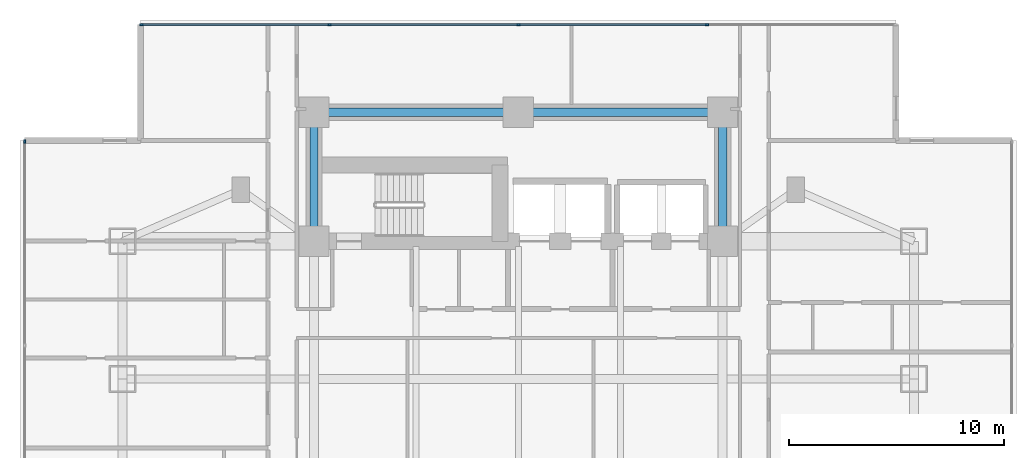
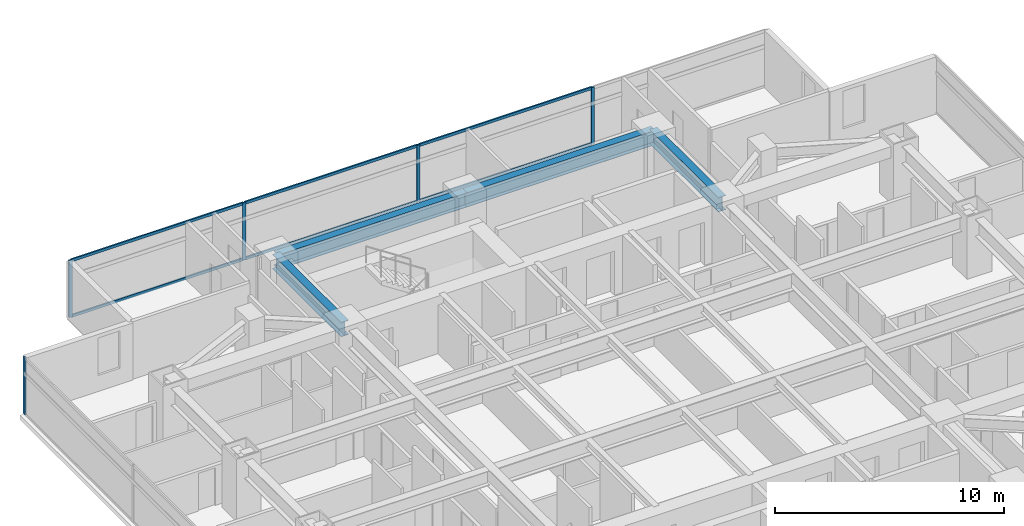
# One storey, part 7 of 26: 11 members, 4 beams, 2 elements without a shape of their own.
"""IFC4 building model written with IfcOpenShell, lengths in metres."""

from ifc_helpers import new_model, si_unit, direction, frame, origin, origin_2d, place, context, subcontext, project, spatial, rectangle, i_section, extrude, material, material_profile, profile_set, type_object, element, aggregate, save


model = new_model("IFC4")

# Units and contexts
model_context = context("Model", 3, precision=1e-05, world=origin(), true_north=direction((0.0, 1.0)))
body_context = subcontext(model_context, "Body", "Model", "MODEL_VIEW")
ifc_project = project(units=[si_unit("LENGTHUNIT", "METRE"), si_unit("AREAUNIT", "SQUARE_METRE"), si_unit("VOLUMEUNIT", "CUBIC_METRE"), si_unit("PLANEANGLEUNIT", "RADIAN"), si_unit("MASSUNIT", "GRAM", prefix="KILO")], contexts=[model_context])

# Site, building, storey
site_placement = place(None, origin())
site = spatial("IfcSite", under=ifc_project, at=site_placement, CompositionType="ELEMENT")
building_placement = place(site_placement, origin())
building = spatial("IfcBuilding", under=site, at=building_placement, Name="Mirazonda Arch Towers", CompositionType="ELEMENT")
storey_placement = place(building_placement, frame((0.0, 0.0, 45.5)))
storey = spatial("IfcBuildingStorey", under=building, at=storey_placement, Name="L12", CompositionType="ELEMENT", Elevation=45.5)

# Beams
ifc_material_1 = material(Name="Steel ASTM A992 Grade 50", Category="steel")
ifc_material_profile_1 = material_profile(ifc_material_1, i_section(OverallWidth=0.381103515625, OverallDepth=0.77294921875, WebThickness=0.0166015625, FlangeThickness=0.027099609375, at=origin_2d()), Name="W30X173")
ifc_profile_set_1 = profile_set([ifc_material_profile_1], Name="Steel ASTM A992 Grade 50")
beam_type = type_object("IfcBeamType", Name="BM-INT-W30X173", PredefinedType="USERDEFINED", material=ifc_profile_set_1)
for number, where, z_axis, x_axis, name in (
    (1, (11.0, 43.60009765625, 2.673583984375), (1.0, 0.0, 0.0), (0.0, 1.0, 0.0), "L12 Floor Beam BM-T1-L12-CN1"),
    (2, (20.5, 43.60009765625, 2.673583984375), (1.0, 0.0, 0.0), (0.0, 1.0, 0.0), "L12 Floor Beam BM-T1-L12-CN2"),
):
    element("IfcBeam", number, at=place(storey_placement, frame(where, z_axis=z_axis, x_axis=x_axis)), inside=storey, type_object=beam_type, Name=name, ObjectType="GIRDER", PredefinedType="USERDEFINED", context=body_context, shape_type="SweptSolid", body=[
        extrude(i_section(OverallWidth=0.381103515625, OverallDepth=0.77294921875, WebThickness=0.0166015625, FlangeThickness=0.027099609375, at=origin_2d()), origin(), (0.0, 0.0, 1.0), 9.5),
    ])
for number, where, z_axis, x_axis, name in (
    (3, (11.0, 37.60009765625, 2.673583984375), (0.0, 1.0, 0.0), (-1.0, 0.0, 0.0), "L12 Floor Beam BM-T1-L12-CNW"),
    (4, (30.0, 37.60009765625, 2.673583984375), (0.0, 1.0, 0.0), (-1.0, 0.0, 0.0), "L12 Floor Beam BM-T1-L12-CNE"),
):
    element("IfcBeam", number, at=place(storey_placement, frame(where, z_axis=z_axis, x_axis=x_axis)), inside=storey, type_object=beam_type, Name=name, ObjectType="GIRDER", PredefinedType="USERDEFINED", context=body_context, shape_type="SweptSolid", body=[
        extrude(i_section(OverallWidth=0.381103515625, OverallDepth=0.77294921875, WebThickness=0.0166015625, FlangeThickness=0.027099609375, at=origin_2d()), origin(), (0.0, 0.0, 1.0), 6.0),
    ])

# Curtain wall, members
ifc_material_2 = material(Name="Anodised Aluminium and Low-E Glass", Category="aluminium")
curtain_wall_type = type_object("IfcCurtainWallType", Name="CW-HTL-UNIT", PredefinedType="NOTDEFINED", material=ifc_material_2)
curtain_wall_1_placement = place(storey_placement, origin())
curtain_wall_1 = element("IfcCurtainWall", 5, at=curtain_wall_1_placement, inside=storey, type_object=curtain_wall_type, Name="L12 T1 N Facade CW-L12-T1-N", PredefinedType="NOTDEFINED")
ifc_material_3 = material(Name="Anodised Aluminium Alloy", Category="aluminium")
ifc_material_profile_2 = material_profile(ifc_material_3, rectangle(XDim=0.074951171875, YDim=0.1650390625, at=origin_2d()), Name="ALU-MULL-75x165")
ifc_profile_set_2 = profile_set([ifc_material_profile_2], Name="Anodised Aluminium Alloy")
member_type_1 = type_object("IfcMemberType", Name="MULL-CW-HTL-UNIT", PredefinedType="MULLION", material=ifc_profile_set_2)
member_1_placement = place(storey_placement, frame((2.9775390625, 47.666015625, 0.0), z_axis=(0.0, 0.0, 1.0), x_axis=(0.0, 1.0, 0.0)))
member_1 = element("IfcMember", 6, at=member_1_placement, type_object=member_type_1, Name="CW-112 mullion 1", PredefinedType="MULLION", context=body_context, shape_type="SweptSolid", body=[
    extrude(rectangle(XDim=0.074951171875, YDim=0.1650390625, at=origin_2d()), origin(), (0.0, 0.0, 1.0), 3.0400390625),
])
member_2_placement = place(storey_placement, frame((11.719970703125, 47.666015625, 0.0), z_axis=(0.0, 0.0, 1.0), x_axis=(0.0, 1.0, 0.0)))
member_2 = element("IfcMember", 7, at=member_2_placement, type_object=member_type_1, Name="CW-112 mullion 2", PredefinedType="MULLION", context=body_context, shape_type="SweptSolid", body=[
    extrude(rectangle(XDim=0.074951171875, YDim=0.1650390625, at=origin_2d()), origin(), (0.0, 0.0, 1.0), 3.0400390625),
])
member_3_placement = place(storey_placement, frame((20.5, 47.666015625, 0.0), z_axis=(0.0, 0.0, 1.0), x_axis=(0.0, 1.0, 0.0)))
member_3 = element("IfcMember", 8, at=member_3_placement, type_object=member_type_1, Name="CW-112 mullion 3", PredefinedType="MULLION", context=body_context, shape_type="SweptSolid", body=[
    extrude(rectangle(XDim=0.074951171875, YDim=0.1650390625, at=origin_2d()), origin(), (0.0, 0.0, 1.0), 3.0400390625),
])
member_4_placement = place(storey_placement, frame((29.280029296875, 47.666015625, 0.0), z_axis=(0.0, 0.0, 1.0), x_axis=(0.0, 1.0, 0.0)))
member_4 = element("IfcMember", 9, at=member_4_placement, type_object=member_type_1, Name="CW-112 mullion 4", PredefinedType="MULLION", context=body_context, shape_type="SweptSolid", body=[
    extrude(rectangle(XDim=0.074951171875, YDim=0.1650390625, at=origin_2d()), origin(), (0.0, 0.0, 1.0), 3.0400390625),
])

# Curtain wall, member
curtain_wall_2_placement = place(storey_placement, origin())
curtain_wall_2 = element("IfcCurtainWall", 10, at=curtain_wall_2_placement, inside=storey, type_object=curtain_wall_type, Name="L12 T1 W Facade CW-L12-T1-W", PredefinedType="NOTDEFINED")
member_5_placement = place(storey_placement, frame((-2.43994140625, 42.24853515625, 0.0), z_axis=(0.0, 0.0, 1.0), x_axis=(1.0, 0.0, 0.0)))
member_5 = element("IfcMember", 11, at=member_5_placement, type_object=member_type_1, Name="CW-112 mullion 1", PredefinedType="MULLION", context=body_context, shape_type="SweptSolid", body=[
    extrude(rectangle(XDim=0.074951171875, YDim=0.1650390625, at=origin_2d()), origin(), (0.0, 0.0, 1.0), 3.0400390625),
])
aggregate(curtain_wall_2, [member_5])

# Member
ifc_material_profile_3 = material_profile(ifc_material_3, rectangle(XDim=0.074951171875, YDim=0.14501953125, at=origin_2d()), Name="ALU-TRAN-75x145")
ifc_profile_set_3 = profile_set([ifc_material_profile_3], Name="Anodised Aluminium Alloy")
member_type_2 = type_object("IfcMemberType", Name="TRAN-CW-HTL-UNIT", PredefinedType="USERDEFINED", material=ifc_profile_set_3)
member_6_placement = place(storey_placement, frame((3.014892578125, 47.666015625, 0.03759765625), z_axis=(1.0, 0.0, 0.0), x_axis=(0.0, 1.0, 0.0)))
member_6 = element("IfcMember", 12, at=member_6_placement, type_object=member_type_2, Name="CW-112 transom 1.1", ObjectType="TRANSOM", PredefinedType="USERDEFINED", context=body_context, shape_type="SweptSolid", body=[
    extrude(rectangle(XDim=0.074951171875, YDim=0.14501953125, at=origin_2d()), origin(), (0.0, 0.0, 1.0), 8.667724609375),
])

member_7_placement = place(storey_placement, frame((3.014892578125, 47.666015625, 3.00244140625), z_axis=(1.0, 0.0, 0.0), x_axis=(0.0, 1.0, 0.0)))
member_7 = element("IfcMember", 13, at=member_7_placement, type_object=member_type_2, Name="CW-112 transom 1.2", ObjectType="TRANSOM", PredefinedType="USERDEFINED", context=body_context, shape_type="SweptSolid", body=[
    extrude(rectangle(XDim=0.074951171875, YDim=0.14501953125, at=origin_2d()), origin(), (0.0, 0.0, 1.0), 8.667724609375),
])

member_8_placement = place(storey_placement, frame((11.757568359375, 47.666015625, 0.03759765625), z_axis=(1.0, 0.0, 0.0), x_axis=(0.0, 1.0, 0.0)))
member_8 = element("IfcMember", 14, at=member_8_placement, type_object=member_type_2, Name="CW-112 transom 2.1", ObjectType="TRANSOM", PredefinedType="USERDEFINED", context=body_context, shape_type="SweptSolid", body=[
    extrude(rectangle(XDim=0.074951171875, YDim=0.14501953125, at=origin_2d()), origin(), (0.0, 0.0, 1.0), 8.704833984375),
])

member_9_placement = place(storey_placement, frame((11.757568359375, 47.666015625, 3.00244140625), z_axis=(1.0, 0.0, 0.0), x_axis=(0.0, 1.0, 0.0)))
member_9 = element("IfcMember", 15, at=member_9_placement, type_object=member_type_2, Name="CW-112 transom 2.2", ObjectType="TRANSOM", PredefinedType="USERDEFINED", context=body_context, shape_type="SweptSolid", body=[
    extrude(rectangle(XDim=0.074951171875, YDim=0.14501953125, at=origin_2d()), origin(), (0.0, 0.0, 1.0), 8.704833984375),
])

member_10_placement = place(storey_placement, frame((20.53759765625, 47.666015625, 0.03759765625), z_axis=(1.0, 0.0, 0.0), x_axis=(0.0, 1.0, 0.0)))
member_10 = element("IfcMember", 16, at=member_10_placement, type_object=member_type_2, Name="CW-112 transom 3.1", ObjectType="TRANSOM", PredefinedType="USERDEFINED", context=body_context, shape_type="SweptSolid", body=[
    extrude(rectangle(XDim=0.074951171875, YDim=0.14501953125, at=origin_2d()), origin(), (0.0, 0.0, 1.0), 8.704833984375),
])

member_11_placement = place(storey_placement, frame((20.53759765625, 47.666015625, 3.00244140625), z_axis=(1.0, 0.0, 0.0), x_axis=(0.0, 1.0, 0.0)))
member_11 = element("IfcMember", 17, at=member_11_placement, type_object=member_type_2, Name="CW-112 transom 3.2", ObjectType="TRANSOM", PredefinedType="USERDEFINED", context=body_context, shape_type="SweptSolid", body=[
    extrude(rectangle(XDim=0.074951171875, YDim=0.14501953125, at=origin_2d()), origin(), (0.0, 0.0, 1.0), 8.704833984375),
])

aggregate(curtain_wall_1, [member_1, member_2, member_3, member_4, member_6, member_7, member_8, member_9, member_10, member_11])

save(model, "model.ifc")
